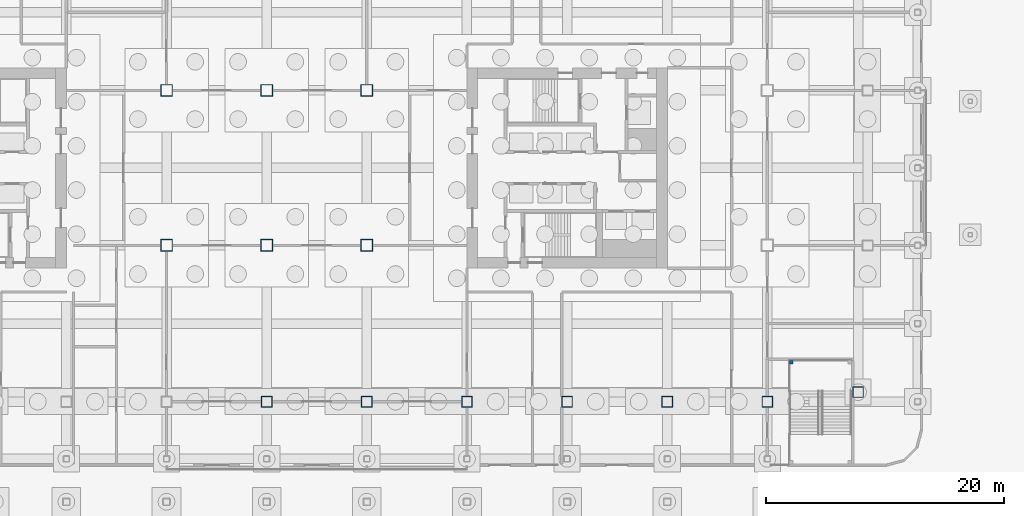
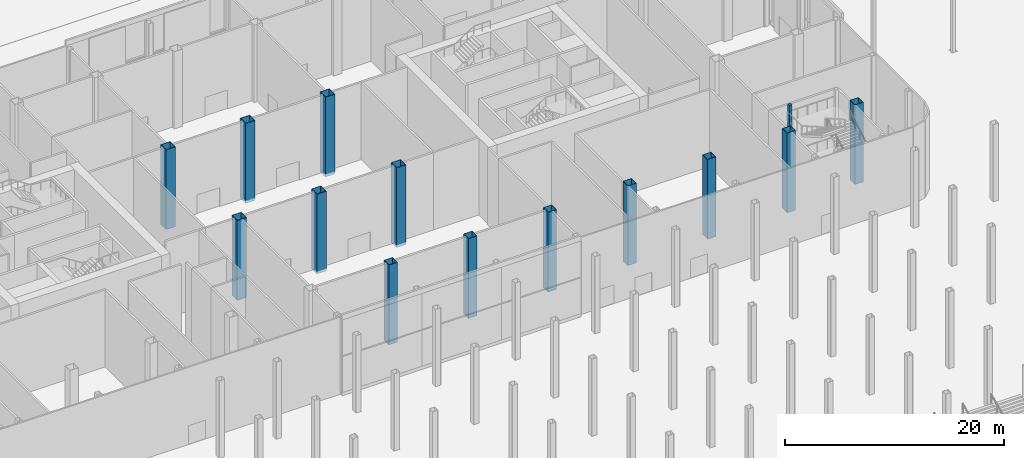
# One storey, part 12 of 113: 14 columns.
"""IFC4 building model written with IfcOpenShell, lengths in metres."""

from ifc_helpers import new_model, si_unit, direction, frame, origin, origin_2d, place, context, subcontext, project, spatial, rectangle, hollow_rectangle, extrude, material, material_profile, profile_set, type_object, element, save


model = new_model("IFC4")

# Units and contexts
model_context = context("Model", 3, precision=1e-05, world=origin(), true_north=direction((0.0, 1.0)))
body_context = subcontext(model_context, "Body", "Model", "MODEL_VIEW")
ifc_project = project(units=[si_unit("LENGTHUNIT", "METRE"), si_unit("AREAUNIT", "SQUARE_METRE"), si_unit("VOLUMEUNIT", "CUBIC_METRE"), si_unit("PLANEANGLEUNIT", "RADIAN"), si_unit("MASSUNIT", "GRAM", prefix="KILO")], contexts=[model_context])

# Site, building, storey
site_placement = place(None, origin())
site = spatial("IfcSite", under=ifc_project, at=site_placement, CompositionType="ELEMENT")
building_placement = place(site_placement, origin())
building = spatial("IfcBuilding", under=site, at=building_placement, Name="Hakoniwa Tower and Hamabe Station Hall", CompositionType="ELEMENT")
storey_placement = place(building_placement, origin())
storey = spatial("IfcBuildingStorey", under=building, at=storey_placement, Name="L01", CompositionType="ELEMENT", Elevation=0.0)

# Columns
ifc_material_1 = material(Name="Steel SN490C", Category="steel")
ifc_material_profile_1 = material_profile(ifc_material_1, hollow_rectangle(XDim=1.0, YDim=1.0, WallThickness=0.0400390625, at=origin_2d()), Name="BX-1000x1000x40")
ifc_profile_set_1 = profile_set([ifc_material_profile_1], Name="Steel SN490C")
column_type_1 = type_object("IfcColumnType", Name="COLUMN BX-1000x1000x40", PredefinedType="COLUMN", material=ifc_profile_set_1)
for number, where, z_axis, x_axis, name in (
    (1, (-8.39990234375, -6.5, -0.300048828125), (0.0, 0.0, 1.0), (1.0, 0.0, 0.0), "Column P-6-C1"),
    (2, (-8.39990234375, 6.5, -0.300048828125), (0.0, 0.0, 1.0), (1.0, 0.0, 0.0), "Column P-6-E1"),
    (3, (0.0, -6.5, -0.300048828125), (0.0, 0.0, 1.0), (1.0, 0.0, 0.0), "Column P-7-C1"),
    (4, (0.0, 6.5, -0.300048828125), (0.0, 0.0, 1.0), (1.0, 0.0, 0.0), "Column P-7-E1"),
    (5, (8.39990234375, -6.5, -0.300048828125), (0.0, 0.0, 1.0), (1.0, 0.0, 0.0), "Column P-8-C1"),
    (6, (8.39990234375, 6.5, -0.300048828125), (0.0, 0.0, 1.0), (1.0, 0.0, 0.0), "Column P-8-E1"),
):
    element("IfcColumn", number, at=place(storey_placement, frame(where, z_axis=z_axis, x_axis=x_axis)), inside=storey, type_object=column_type_1, Name=name, PredefinedType="COLUMN", context=body_context, shape_type="SweptSolid", body=[
        extrude(hollow_rectangle(XDim=1.0, YDim=1.0, WallThickness=0.0400390625, at=origin_2d()), origin(), (0.0, 0.0, 1.0), 8.900146484375),
    ])
ifc_material_2 = material(Name="Steel SN490C", Category="steel")
ifc_material_profile_2 = material_profile(ifc_material_2, hollow_rectangle(XDim=0.89990234375, YDim=0.89990234375, WallThickness=0.035888671875, at=origin_2d()), Name="BX-900x900x36")
ifc_profile_set_2 = profile_set([ifc_material_profile_2], Name="Steel SN490C")
column_type_2 = type_object("IfcColumnType", Name="COLUMN BX-900x900x36", PredefinedType="COLUMN", material=ifc_profile_set_2)
for number, where, z_axis, x_axis, name in (
    (7, (0.0, -19.60009765625, -0.300048828125), (0.0, 0.0, 1.0), (1.0, 0.0, 0.0), "Column P-7-A1"),
    (8, (8.39990234375, -19.60009765625, -0.300048828125), (0.0, 0.0, 1.0), (1.0, 0.0, 0.0), "Column P-8-A1"),
    (9, (16.800048828125, -19.60009765625, -0.300048828125), (0.0, 0.0, 1.0), (1.0, 0.0, 0.0), "Column P-9-A1"),
    (10, (25.199951171875, -19.60009765625, -0.300048828125), (0.0, 0.0, 1.0), (1.0, 0.0, 0.0), "Column P-10-A1"),
    (11, (33.60009765625, -19.60009765625, -0.300048828125), (0.0, 0.0, 1.0), (1.0, 0.0, 0.0), "Column P-11-A1"),
    (12, (42.0, -19.60009765625, -0.300048828125), (0.0, 0.0, 1.0), (1.0, 0.0, 0.0), "Column P-12-A1"),
    (13, (49.60302734375, -18.802978515625, -0.300048828125), (0.0, 0.0, 1.0), (1.0, 0.0, 0.0), "Column P-13-A1"),
):
    element("IfcColumn", number, at=place(storey_placement, frame(where, z_axis=z_axis, x_axis=x_axis)), inside=storey, type_object=column_type_2, Name=name, PredefinedType="COLUMN", context=body_context, shape_type="SweptSolid", body=[
        extrude(hollow_rectangle(XDim=0.89990234375, YDim=0.89990234375, WallThickness=0.035888671875, at=origin_2d()), origin(), (0.0, 0.0, 1.0), 8.900146484375),
    ])
ifc_material_3 = material(Name="Concrete C40", Category="concrete")
ifc_material_profile_3 = material_profile(ifc_material_3, rectangle(XDim=0.300048828125, YDim=0.300048828125, at=origin_2d()), Name="STAIR LANDING POST 300X300")
ifc_profile_set_3 = profile_set([ifc_material_profile_3], Name="Concrete C40")
column_type_3 = type_object("IfcColumnType", Name="STAIR LANDING POST 300X300", PredefinedType="COLUMN", material=ifc_profile_set_3)
column_placement = place(storey_placement, frame((44.0, -16.300048828125, 0.0), z_axis=(0.0, 0.0, 1.0), x_axis=(1.0, 0.0, 0.0)))
element("IfcColumn", 14, at=column_placement, inside=storey, type_object=column_type_3, Name="Landing post PS3 2b", PredefinedType="COLUMN", context=body_context, shape_type="SweptSolid", body=[
    extrude(rectangle(XDim=0.300048828125, YDim=0.300048828125, at=origin_2d()), origin(), (0.0, 0.0, 1.0), 8.699951171875),
])

save(model, "model.ifc")
